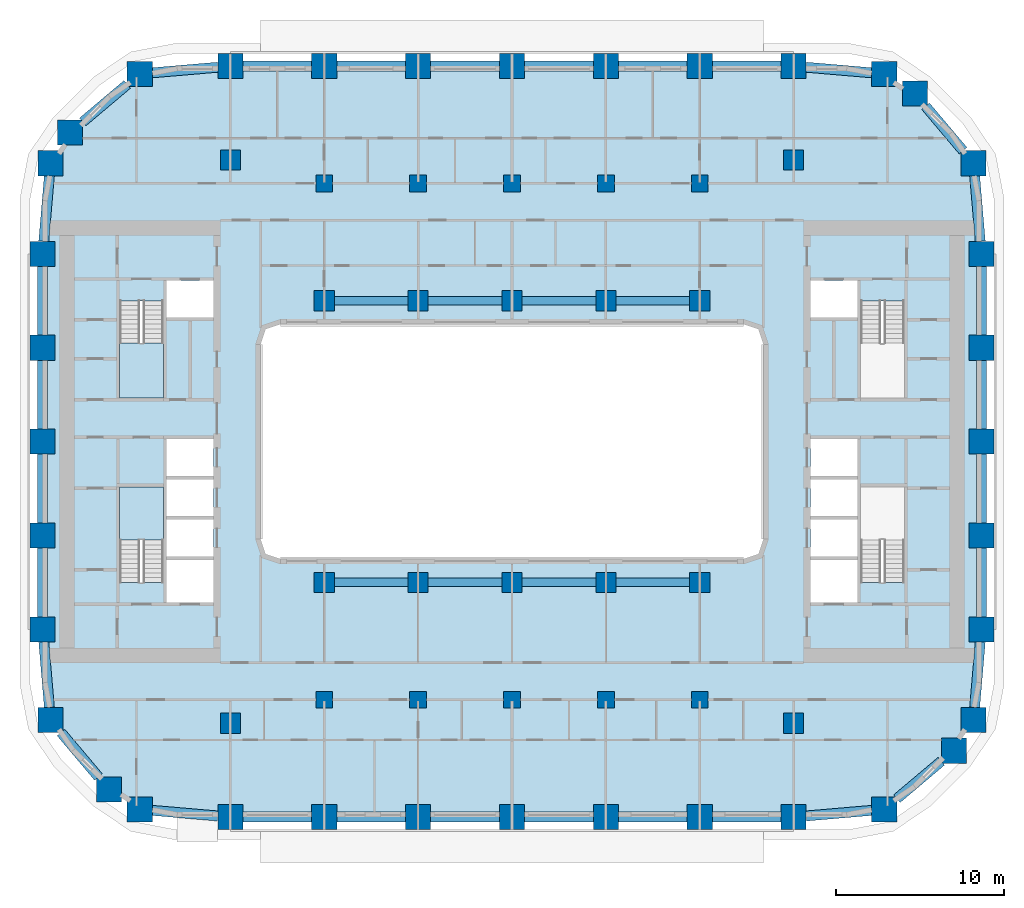
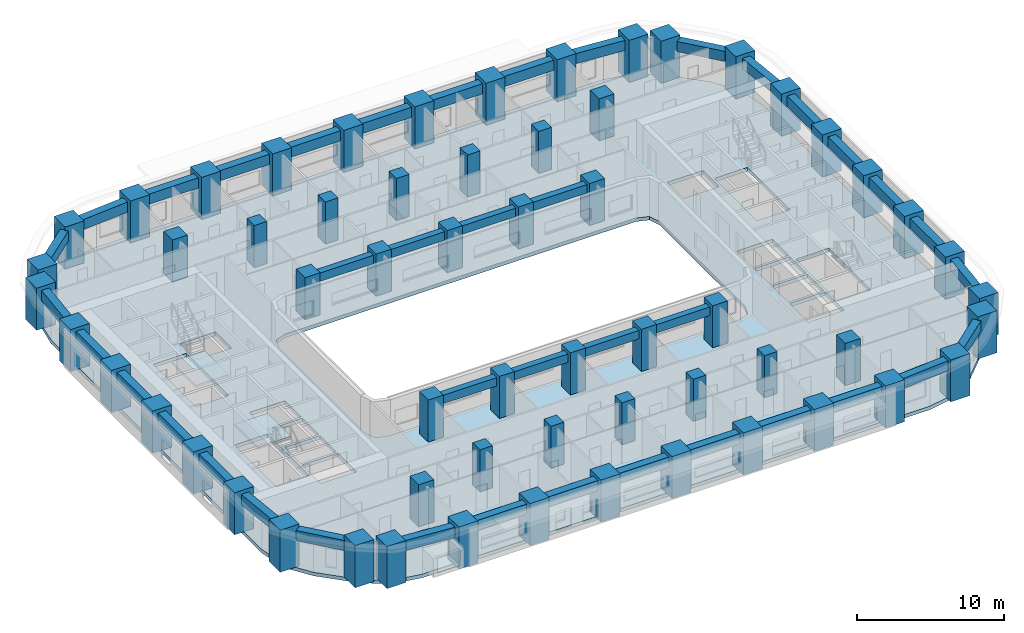
# One storey, part 1 of 21: 60 columns, 40 beams, 3 slabs, 2 elements without a shape of their own.
"""IFC4 building model written with IfcOpenShell, lengths in metres."""

from ifc_helpers import new_model, si_unit, direction, frame, origin, origin_2d, place, context, subcontext, project, spatial, polyline, rectangle, outline, extrude, material, layer, layer_set, material_profile, profile_set, type_object, element, aggregate, save


model = new_model("IFC4")

# Units and contexts
model_context = context("Model", 3, precision=1e-05, world=origin(), true_north=direction((0.0, 1.0)))
body_context = subcontext(model_context, "Body", "Model", "MODEL_VIEW")
ifc_project = project(units=[si_unit("LENGTHUNIT", "METRE"), si_unit("AREAUNIT", "SQUARE_METRE"), si_unit("VOLUMEUNIT", "CUBIC_METRE"), si_unit("PLANEANGLEUNIT", "RADIAN"), si_unit("MASSUNIT", "GRAM", prefix="KILO")], contexts=[model_context])

# Site, building, storey
site_placement = place(None, origin())
site = spatial("IfcSite", under=ifc_project, at=site_placement, CompositionType="ELEMENT")
building_placement = place(site_placement, origin())
building = spatial("IfcBuilding", under=site, at=building_placement, Name="Kiln Ring Residences", CompositionType="ELEMENT")
storey_placement = place(building_placement, frame((0.0, 0.0, 41.0)))
storey = spatial("IfcBuildingStorey", under=building, at=storey_placement, Name="L09", CompositionType="ELEMENT", Elevation=41.0)

# Columns
ifc_material_1 = material(Name="Concrete C80/95", Category="concrete")
ifc_material_profile_1 = material_profile(ifc_material_1, rectangle(XDim=1.0, YDim=1.0, at=origin_2d()), Name="RC1000x1000")
ifc_profile_set_1 = profile_set([ifc_material_profile_1], Name="Concrete C80/95")
column_type_1 = type_object("IfcColumnType", Name="Corridor column RC1000x1000 C80/95", PredefinedType="COLUMN", material=ifc_profile_set_1)
for number, where, z_axis, x_axis, name in (
    (1, (-11.199951171875, 15.39990234375, 0.0), (0.0, 0.0, 1.0), (1.0, 0.0, 0.0), "Corridor column L09 1"),
    (2, (-5.60009765625, 15.39990234375, 0.0), (0.0, 0.0, 1.0), (1.0, 0.0, 0.0), "Corridor column L09 2"),
    (3, (0.0, 15.39990234375, 0.0), (0.0, 0.0, 1.0), (1.0, 0.0, 0.0), "Corridor column L09 3"),
    (4, (5.60009765625, 15.39990234375, 0.0), (0.0, 0.0, 1.0), (1.0, 0.0, 0.0), "Corridor column L09 4"),
    (5, (11.199951171875, 15.39990234375, 0.0), (0.0, 0.0, 1.0), (1.0, 0.0, 0.0), "Corridor column L09 5"),
    (6, (-11.199951171875, -15.39990234375, 0.0), (0.0, 0.0, 1.0), (1.0, 0.0, 0.0), "Corridor column L09 6"),
    (7, (-5.60009765625, -15.39990234375, 0.0), (0.0, 0.0, 1.0), (1.0, 0.0, 0.0), "Corridor column L09 7"),
    (8, (0.0, -15.39990234375, 0.0), (0.0, 0.0, 1.0), (1.0, 0.0, 0.0), "Corridor column L09 8"),
    (9, (5.60009765625, -15.39990234375, 0.0), (0.0, 0.0, 1.0), (1.0, 0.0, 0.0), "Corridor column L09 9"),
    (10, (11.199951171875, -15.39990234375, 0.0), (0.0, 0.0, 1.0), (1.0, 0.0, 0.0), "Corridor column L09 10"),
):
    element("IfcColumn", number, at=place(storey_placement, frame(where, z_axis=z_axis, x_axis=x_axis)), inside=storey, type_object=column_type_1, Name=name, PredefinedType="COLUMN", context=body_context, shape_type="SweptSolid", body=[
        extrude(rectangle(XDim=1.0, YDim=1.0, at=origin_2d()), origin(), (0.0, 0.0, 1.0), 3.5),
    ])
ifc_material_2 = material(Name="Concrete C80/95", Category="concrete")
ifc_material_profile_2 = material_profile(ifc_material_2, rectangle(XDim=1.5, YDim=1.5, at=origin_2d()), Name="RC1500x1500")
ifc_profile_set_2 = profile_set([ifc_material_profile_2], Name="Concrete C80/95")
column_type_2 = type_object("IfcColumnType", Name="Perimeter column RC1500x1500 C80/95", PredefinedType="COLUMN", material=ifc_profile_set_2)
for number, where, z_axis, x_axis, name in (
    (11, (-22.208740234375, -21.93798828125, 0.0), (0.0, 0.0, 1.0), (1.0, 0.0, 0.0), "Perimeter column L09 1"),
    (12, (-16.800048828125, -22.39990234375, 0.0), (0.0, 0.0, 1.0), (1.0, 0.0, 0.0), "Perimeter column L09 2"),
    (13, (-11.199951171875, -22.39990234375, 0.0), (0.0, 0.0, 1.0), (1.0, 0.0, 0.0), "Perimeter column L09 3"),
    (14, (-5.60009765625, -22.39990234375, 0.0), (0.0, 0.0, 1.0), (1.0, 0.0, 0.0), "Perimeter column L09 4"),
    (15, (0.0, -22.39990234375, 0.0), (0.0, 0.0, 1.0), (1.0, 0.0, 0.0), "Perimeter column L09 5"),
    (16, (5.60009765625, -22.39990234375, 0.0), (0.0, 0.0, 1.0), (1.0, 0.0, 0.0), "Perimeter column L09 6"),
    (17, (11.199951171875, -22.39990234375, 0.0), (0.0, 0.0, 1.0), (1.0, 0.0, 0.0), "Perimeter column L09 7"),
    (18, (16.800048828125, -22.39990234375, 0.0), (0.0, 0.0, 1.0), (1.0, 0.0, 0.0), "Perimeter column L09 8"),
    (19, (22.208740234375, -21.93798828125, 0.0), (0.0, 0.0, 1.0), (1.0, 0.0, 0.0), "Perimeter column L09 9"),
    (20, (26.35986328125, -18.440185546875, 0.0), (0.0, 0.0, 1.0), (1.0, 0.0, 0.0), "Perimeter column L09 10"),
    (21, (27.5380859375, -16.608642578125, 0.0), (0.0, 0.0, 1.0), (1.0, 0.0, 0.0), "Perimeter column L09 11"),
    (22, (28.0, -11.199951171875, 0.0), (0.0, 0.0, 1.0), (1.0, 0.0, 0.0), "Perimeter column L09 12"),
    (23, (28.0, -5.60009765625, 0.0), (0.0, 0.0, 1.0), (1.0, 0.0, 0.0), "Perimeter column L09 13"),
    (24, (28.0, 0.0, 0.0), (0.0, 0.0, 1.0), (1.0, 0.0, 0.0), "Perimeter column L09 14"),
    (25, (28.0, 5.60009765625, 0.0), (0.0, 0.0, 1.0), (1.0, 0.0, 0.0), "Perimeter column L09 15"),
    (26, (28.0, 11.199951171875, 0.0), (0.0, 0.0, 1.0), (1.0, 0.0, 0.0), "Perimeter column L09 16"),
    (27, (27.5380859375, 16.608642578125, 0.0), (0.0, 0.0, 1.0), (1.0, 0.0, 0.0), "Perimeter column L09 17"),
    (28, (24.040283203125, 20.759765625, 0.0), (0.0, 0.0, 1.0), (1.0, 0.0, 0.0), "Perimeter column L09 18"),
    (29, (22.208740234375, 21.93798828125, 0.0), (0.0, 0.0, 1.0), (1.0, 0.0, 0.0), "Perimeter column L09 19"),
    (30, (16.800048828125, 22.39990234375, 0.0), (0.0, 0.0, 1.0), (1.0, 0.0, 0.0), "Perimeter column L09 20"),
    (31, (11.199951171875, 22.39990234375, 0.0), (0.0, 0.0, 1.0), (1.0, 0.0, 0.0), "Perimeter column L09 21"),
    (32, (5.60009765625, 22.39990234375, 0.0), (0.0, 0.0, 1.0), (1.0, 0.0, 0.0), "Perimeter column L09 22"),
    (33, (0.0, 22.39990234375, 0.0), (0.0, 0.0, 1.0), (1.0, 0.0, 0.0), "Perimeter column L09 23"),
    (34, (-5.60009765625, 22.39990234375, 0.0), (0.0, 0.0, 1.0), (1.0, 0.0, 0.0), "Perimeter column L09 24"),
    (35, (-11.199951171875, 22.39990234375, 0.0), (0.0, 0.0, 1.0), (1.0, 0.0, 0.0), "Perimeter column L09 25"),
    (36, (-16.800048828125, 22.39990234375, 0.0), (0.0, 0.0, 1.0), (1.0, 0.0, 0.0), "Perimeter column L09 26"),
    (37, (-22.208740234375, 21.93798828125, 0.0), (0.0, 0.0, 1.0), (1.0, 0.0, 0.0), "Perimeter column L09 27"),
    (38, (-26.35986328125, 18.440185546875, 0.0), (0.0, 0.0, 1.0), (1.0, 0.0, 0.0), "Perimeter column L09 28"),
    (39, (-27.5380859375, 16.608642578125, 0.0), (0.0, 0.0, 1.0), (1.0, 0.0, 0.0), "Perimeter column L09 29"),
    (40, (-28.0, 11.199951171875, 0.0), (0.0, 0.0, 1.0), (1.0, 0.0, 0.0), "Perimeter column L09 30"),
    (41, (-28.0, 5.60009765625, 0.0), (0.0, 0.0, 1.0), (1.0, 0.0, 0.0), "Perimeter column L09 31"),
    (42, (-28.0, 0.0, 0.0), (0.0, 0.0, 1.0), (1.0, 0.0, 0.0), "Perimeter column L09 32"),
    (43, (-28.0, -5.60009765625, 0.0), (0.0, 0.0, 1.0), (1.0, 0.0, 0.0), "Perimeter column L09 33"),
    (44, (-28.0, -11.199951171875, 0.0), (0.0, 0.0, 1.0), (1.0, 0.0, 0.0), "Perimeter column L09 34"),
    (45, (-27.5380859375, -16.608642578125, 0.0), (0.0, 0.0, 1.0), (1.0, 0.0, 0.0), "Perimeter column L09 35"),
    (46, (-24.040283203125, -20.759765625, 0.0), (0.0, 0.0, 1.0), (1.0, 0.0, 0.0), "Perimeter column L09 36"),
):
    element("IfcColumn", number, at=place(storey_placement, frame(where, z_axis=z_axis, x_axis=x_axis)), inside=storey, type_object=column_type_2, Name=name, PredefinedType="COLUMN", context=body_context, shape_type="SweptSolid", body=[
        extrude(rectangle(XDim=1.5, YDim=1.5, at=origin_2d()), origin(), (0.0, 0.0, 1.0), 3.5),
    ])
ifc_material_3 = material(Name="Concrete C80/95", Category="concrete")
ifc_material_profile_3 = material_profile(ifc_material_3, rectangle(XDim=1.199951171875, YDim=1.199951171875, at=origin_2d()), Name="RC1200x1200")
ifc_profile_set_3 = profile_set([ifc_material_profile_3], Name="Concrete C80/95")
column_type_3 = type_object("IfcColumnType", Name="Ring column RC1200x1200 C80/95", PredefinedType="COLUMN", material=ifc_profile_set_3)
for number, where, z_axis, x_axis, name in (
    (47, (-16.800048828125, -16.800048828125, 0.0), (0.0, 0.0, 1.0), (1.0, 0.0, 0.0), "Ring column L09 1"),
    (48, (-16.800048828125, 16.800048828125, 0.0), (0.0, 0.0, 1.0), (1.0, 0.0, 0.0), "Ring column L09 2"),
    (49, (-11.199951171875, -8.39990234375, 0.0), (0.0, 0.0, 1.0), (1.0, 0.0, 0.0), "Ring column L09 3"),
    (50, (-11.199951171875, 8.39990234375, 0.0), (0.0, 0.0, 1.0), (1.0, 0.0, 0.0), "Ring column L09 4"),
    (51, (-5.60009765625, -8.39990234375, 0.0), (0.0, 0.0, 1.0), (1.0, 0.0, 0.0), "Ring column L09 5"),
    (52, (-5.60009765625, 8.39990234375, 0.0), (0.0, 0.0, 1.0), (1.0, 0.0, 0.0), "Ring column L09 6"),
    (53, (0.0, -8.39990234375, 0.0), (0.0, 0.0, 1.0), (1.0, 0.0, 0.0), "Ring column L09 7"),
    (54, (0.0, 8.39990234375, 0.0), (0.0, 0.0, 1.0), (1.0, 0.0, 0.0), "Ring column L09 8"),
    (55, (5.60009765625, -8.39990234375, 0.0), (0.0, 0.0, 1.0), (1.0, 0.0, 0.0), "Ring column L09 9"),
    (56, (5.60009765625, 8.39990234375, 0.0), (0.0, 0.0, 1.0), (1.0, 0.0, 0.0), "Ring column L09 10"),
    (57, (11.199951171875, -8.39990234375, 0.0), (0.0, 0.0, 1.0), (1.0, 0.0, 0.0), "Ring column L09 11"),
    (58, (11.199951171875, 8.39990234375, 0.0), (0.0, 0.0, 1.0), (1.0, 0.0, 0.0), "Ring column L09 12"),
    (59, (16.800048828125, -16.800048828125, 0.0), (0.0, 0.0, 1.0), (1.0, 0.0, 0.0), "Ring column L09 13"),
    (60, (16.800048828125, 16.800048828125, 0.0), (0.0, 0.0, 1.0), (1.0, 0.0, 0.0), "Ring column L09 14"),
):
    element("IfcColumn", number, at=place(storey_placement, frame(where, z_axis=z_axis, x_axis=x_axis)), inside=storey, type_object=column_type_3, Name=name, PredefinedType="COLUMN", context=body_context, shape_type="SweptSolid", body=[
        extrude(rectangle(XDim=1.199951171875, YDim=1.199951171875, at=origin_2d()), origin(), (0.0, 0.0, 1.0), 3.5),
    ])

# Beams
ifc_material_4 = material(Name="Concrete C50/60", Category="concrete")
ifc_material_profile_4 = material_profile(ifc_material_4, rectangle(XDim=0.5, YDim=0.699951171875, at=origin_2d()), Name="RC500x700")
ifc_profile_set_4 = profile_set([ifc_material_profile_4], Name="Concrete C50/60")
beam_type_1 = type_object("IfcBeamType", Name="Ring beam RC500x700 C50/60", PredefinedType="BEAM", material=ifc_profile_set_4)
beam_1_placement = place(storey_placement, frame((-10.60009765625, -8.39990234375, 2.85009765625), z_axis=(1.0, 0.0, 0.0), x_axis=(0.0, 1.0, 0.0)))
element("IfcBeam", 61, at=beam_1_placement, inside=storey, type_object=beam_type_1, Name="Ring beam L09 1", PredefinedType="BEAM", context=body_context, shape_type="SweptSolid", body=[
    extrude(rectangle(XDim=0.5, YDim=0.699951171875, at=origin_2d()), origin(), (0.0, 0.0, 1.0), 4.400146484375),
])
for number, where, z_axis, x_axis, name in (
    (62, (-5.0, -8.39990234375, 2.85009765625), (1.0, 0.0, 0.0), (0.0, 1.0, 0.0), "Ring beam L09 2"),
    (63, (0.60009765625, -8.39990234375, 2.85009765625), (1.0, 0.0, 0.0), (0.0, 1.0, 0.0), "Ring beam L09 3"),
):
    element("IfcBeam", number, at=place(storey_placement, frame(where, z_axis=z_axis, x_axis=x_axis)), inside=storey, type_object=beam_type_1, Name=name, PredefinedType="BEAM", context=body_context, shape_type="SweptSolid", body=[
        extrude(rectangle(XDim=0.5, YDim=0.699951171875, at=origin_2d()), origin(), (0.0, 0.0, 1.0), 4.39990234375),
    ])
for number, where, z_axis, x_axis, name in (
    (64, (6.199951171875, -8.39990234375, 2.85009765625), (1.0, 0.0, 0.0), (0.0, 1.0, 0.0), "Ring beam L09 4"),
    (65, (-10.60009765625, 8.39990234375, 2.85009765625), (1.0, 0.0, 0.0), (0.0, 1.0, 0.0), "Ring beam L09 5"),
):
    element("IfcBeam", number, at=place(storey_placement, frame(where, z_axis=z_axis, x_axis=x_axis)), inside=storey, type_object=beam_type_1, Name=name, PredefinedType="BEAM", context=body_context, shape_type="SweptSolid", body=[
        extrude(rectangle(XDim=0.5, YDim=0.699951171875, at=origin_2d()), origin(), (0.0, 0.0, 1.0), 4.400146484375),
    ])
for number, where, z_axis, x_axis, name in (
    (66, (-5.0, 8.39990234375, 2.85009765625), (1.0, 0.0, 0.0), (0.0, 1.0, 0.0), "Ring beam L09 6"),
    (67, (0.60009765625, 8.39990234375, 2.85009765625), (1.0, 0.0, 0.0), (0.0, 1.0, 0.0), "Ring beam L09 7"),
):
    element("IfcBeam", number, at=place(storey_placement, frame(where, z_axis=z_axis, x_axis=x_axis)), inside=storey, type_object=beam_type_1, Name=name, PredefinedType="BEAM", context=body_context, shape_type="SweptSolid", body=[
        extrude(rectangle(XDim=0.5, YDim=0.699951171875, at=origin_2d()), origin(), (0.0, 0.0, 1.0), 4.39990234375),
    ])
beam_2_placement = place(storey_placement, frame((6.199951171875, 8.39990234375, 2.85009765625), z_axis=(1.0, 0.0, 0.0), x_axis=(0.0, 1.0, 0.0)))
element("IfcBeam", 68, at=beam_2_placement, inside=storey, type_object=beam_type_1, Name="Ring beam L09 8", PredefinedType="BEAM", context=body_context, shape_type="SweptSolid", body=[
    extrude(rectangle(XDim=0.5, YDim=0.699951171875, at=origin_2d()), origin(), (0.0, 0.0, 1.0), 4.400146484375),
])
ifc_material_5 = material(Name="Concrete C50/60", Category="concrete")
ifc_material_profile_5 = material_profile(ifc_material_5, rectangle(XDim=0.60009765625, YDim=0.85009765625, at=origin_2d()), Name="RC600x850")
ifc_profile_set_5 = profile_set([ifc_material_profile_5], Name="Concrete C50/60")
beam_type_2 = type_object("IfcBeamType", Name="Spandrel beam RC600x850 C50/60", PredefinedType="SPANDREL", material=ifc_profile_set_5)
beam_3_placement = place(storey_placement, frame((-21.458740234375, -22.002197265625, 2.77490234375), z_axis=(0.996374585929, -0.085074582072, 0.0), x_axis=(0.085074582072, 0.996374585929, 0.0)))
element("IfcBeam", 69, at=beam_3_placement, inside=storey, type_object=beam_type_2, Name="Spandrel beam L09 1", PredefinedType="SPANDREL", context=body_context, shape_type="SweptSolid", body=[
    extrude(rectangle(XDim=0.60009765625, YDim=0.85009765625, at=origin_2d()), origin(), (0.0, 0.0, 1.0), 3.9228515625),
])
beam_4_placement = place(storey_placement, frame((-16.050048828125, -22.39990234375, 2.77490234375), z_axis=(1.0, 0.0, 0.0), x_axis=(0.0, 1.0, 0.0)))
element("IfcBeam", 70, at=beam_4_placement, inside=storey, type_object=beam_type_2, Name="Spandrel beam L09 2", PredefinedType="SPANDREL", context=body_context, shape_type="SweptSolid", body=[
    extrude(rectangle(XDim=0.60009765625, YDim=0.85009765625, at=origin_2d()), origin(), (0.0, 0.0, 1.0), 4.10009765625),
])
beam_5_placement = place(storey_placement, frame((-10.449951171875, -22.39990234375, 2.77490234375), z_axis=(1.0, 0.0, 0.0), x_axis=(0.0, 1.0, 0.0)))
element("IfcBeam", 71, at=beam_5_placement, inside=storey, type_object=beam_type_2, Name="Spandrel beam L09 3", PredefinedType="SPANDREL", context=body_context, shape_type="SweptSolid", body=[
    extrude(rectangle(XDim=0.60009765625, YDim=0.85009765625, at=origin_2d()), origin(), (0.0, 0.0, 1.0), 4.099853515625),
])
for number, where, z_axis, x_axis, name in (
    (72, (-4.85009765625, -22.39990234375, 2.77490234375), (1.0, 0.0, 0.0), (0.0, 1.0, 0.0), "Spandrel beam L09 4"),
    (73, (0.75, -22.39990234375, 2.77490234375), (1.0, 0.0, 0.0), (0.0, 1.0, 0.0), "Spandrel beam L09 5"),
):
    element("IfcBeam", number, at=place(storey_placement, frame(where, z_axis=z_axis, x_axis=x_axis)), inside=storey, type_object=beam_type_2, Name=name, PredefinedType="SPANDREL", context=body_context, shape_type="SweptSolid", body=[
        extrude(rectangle(XDim=0.60009765625, YDim=0.85009765625, at=origin_2d()), origin(), (0.0, 0.0, 1.0), 4.10009765625),
    ])
beam_6_placement = place(storey_placement, frame((6.35009765625, -22.39990234375, 2.77490234375), z_axis=(1.0, 0.0, 0.0), x_axis=(0.0, 1.0, 0.0)))
element("IfcBeam", 74, at=beam_6_placement, inside=storey, type_object=beam_type_2, Name="Spandrel beam L09 6", PredefinedType="SPANDREL", context=body_context, shape_type="SweptSolid", body=[
    extrude(rectangle(XDim=0.60009765625, YDim=0.85009765625, at=origin_2d()), origin(), (0.0, 0.0, 1.0), 4.099853515625),
])
beam_7_placement = place(storey_placement, frame((11.949951171875, -22.39990234375, 2.77490234375), z_axis=(1.0, 0.0, 0.0), x_axis=(0.0, 1.0, 0.0)))
element("IfcBeam", 75, at=beam_7_placement, inside=storey, type_object=beam_type_2, Name="Spandrel beam L09 7", PredefinedType="SPANDREL", context=body_context, shape_type="SweptSolid", body=[
    extrude(rectangle(XDim=0.60009765625, YDim=0.85009765625, at=origin_2d()), origin(), (0.0, 0.0, 1.0), 4.10009765625),
])
beam_8_placement = place(storey_placement, frame((17.550048828125, -22.3359375, 2.77490234375), z_axis=(0.996374585929, 0.085074582072, 0.0), x_axis=(-0.085074582072, 0.996374585929, 0.0)))
element("IfcBeam", 76, at=beam_8_placement, inside=storey, type_object=beam_type_2, Name="Spandrel beam L09 8", PredefinedType="SPANDREL", context=body_context, shape_type="SweptSolid", body=[
    extrude(rectangle(XDim=0.60009765625, YDim=0.85009765625, at=origin_2d()), origin(), (0.0, 0.0, 1.0), 3.9228515625),
])
beam_9_placement = place(storey_placement, frame((22.958740234375, -21.30615234375, 2.77490234375), z_axis=(0.76471758739, 0.644365588417, 0.0), x_axis=(-0.644365588417, 0.76471758739, 0.0)))
element("IfcBeam", 77, at=beam_9_placement, inside=storey, type_object=beam_type_2, Name="Spandrel beam L09 9", PredefinedType="SPANDREL", context=body_context, shape_type="SweptSolid", body=[
    extrude(rectangle(XDim=0.60009765625, YDim=0.85009765625, at=origin_2d()), origin(), (0.0, 0.0, 1.0), 3.466796875),
])
beam_10_placement = place(storey_placement, frame((27.60205078125, -15.858642578125, 2.77490234375), z_axis=(0.085136365662, 0.996369308661, 0.0), x_axis=(-0.996369308661, 0.085136365662, 0.0)))
element("IfcBeam", 78, at=beam_10_placement, inside=storey, type_object=beam_type_2, Name="Spandrel beam L09 10", PredefinedType="SPANDREL", context=body_context, shape_type="SweptSolid", body=[
    extrude(rectangle(XDim=0.60009765625, YDim=0.85009765625, at=origin_2d()), origin(), (0.0, 0.0, 1.0), 3.9228515625),
])
beam_11_placement = place(storey_placement, frame((28.0, -10.449951171875, 2.77490234375), z_axis=(0.0, 1.0, 0.0), x_axis=(-1.0, 0.0, 0.0)))
element("IfcBeam", 79, at=beam_11_placement, inside=storey, type_object=beam_type_2, Name="Spandrel beam L09 11", PredefinedType="SPANDREL", context=body_context, shape_type="SweptSolid", body=[
    extrude(rectangle(XDim=0.60009765625, YDim=0.85009765625, at=origin_2d()), origin(), (0.0, 0.0, 1.0), 4.099853515625),
])
for number, where, z_axis, x_axis, name in (
    (80, (28.0, -4.85009765625, 2.77490234375), (0.0, 1.0, 0.0), (-1.0, 0.0, 0.0), "Spandrel beam L09 12"),
    (81, (28.0, 0.75, 2.77490234375), (0.0, 1.0, 0.0), (-1.0, 0.0, 0.0), "Spandrel beam L09 13"),
):
    element("IfcBeam", number, at=place(storey_placement, frame(where, z_axis=z_axis, x_axis=x_axis)), inside=storey, type_object=beam_type_2, Name=name, PredefinedType="SPANDREL", context=body_context, shape_type="SweptSolid", body=[
        extrude(rectangle(XDim=0.60009765625, YDim=0.85009765625, at=origin_2d()), origin(), (0.0, 0.0, 1.0), 4.10009765625),
    ])
beam_12_placement = place(storey_placement, frame((28.0, 6.35009765625, 2.77490234375), z_axis=(0.0, 1.0, 0.0), x_axis=(-1.0, 0.0, 0.0)))
element("IfcBeam", 82, at=beam_12_placement, inside=storey, type_object=beam_type_2, Name="Spandrel beam L09 14", PredefinedType="SPANDREL", context=body_context, shape_type="SweptSolid", body=[
    extrude(rectangle(XDim=0.60009765625, YDim=0.85009765625, at=origin_2d()), origin(), (0.0, 0.0, 1.0), 4.099853515625),
])
beam_13_placement = place(storey_placement, frame((27.93603515625, 11.949951171875, 2.77490234375), z_axis=(-0.085136365662, 0.996369308661, 0.0), x_axis=(-0.996369308661, -0.085136365662, 0.0)))
element("IfcBeam", 83, at=beam_13_placement, inside=storey, type_object=beam_type_2, Name="Spandrel beam L09 15", PredefinedType="SPANDREL", context=body_context, shape_type="SweptSolid", body=[
    extrude(rectangle(XDim=0.60009765625, YDim=0.85009765625, at=origin_2d()), origin(), (0.0, 0.0, 1.0), 3.9228515625),
])
beam_14_placement = place(storey_placement, frame((26.906005859375, 17.358642578125, 2.77490234375), z_axis=(-0.644365588417, 0.76471758739, 0.0), x_axis=(-0.76471758739, -0.644365588417, 0.0)))
element("IfcBeam", 84, at=beam_14_placement, inside=storey, type_object=beam_type_2, Name="Spandrel beam L09 16", PredefinedType="SPANDREL", context=body_context, shape_type="SweptSolid", body=[
    extrude(rectangle(XDim=0.60009765625, YDim=0.85009765625, at=origin_2d()), origin(), (0.0, 0.0, 1.0), 3.466796875),
])
beam_15_placement = place(storey_placement, frame((21.458740234375, 22.002197265625, 2.77490234375), z_axis=(-0.996374585929, 0.085074582072, 0.0), x_axis=(-0.085074582072, -0.996374585929, 0.0)))
element("IfcBeam", 85, at=beam_15_placement, inside=storey, type_object=beam_type_2, Name="Spandrel beam L09 17", PredefinedType="SPANDREL", context=body_context, shape_type="SweptSolid", body=[
    extrude(rectangle(XDim=0.60009765625, YDim=0.85009765625, at=origin_2d()), origin(), (0.0, 0.0, 1.0), 3.9228515625),
])
beam_16_placement = place(storey_placement, frame((16.050048828125, 22.39990234375, 2.77490234375), z_axis=(-1.0, 0.0, 0.0), x_axis=(0.0, -1.0, 0.0)))
element("IfcBeam", 86, at=beam_16_placement, inside=storey, type_object=beam_type_2, Name="Spandrel beam L09 18", PredefinedType="SPANDREL", context=body_context, shape_type="SweptSolid", body=[
    extrude(rectangle(XDim=0.60009765625, YDim=0.85009765625, at=origin_2d()), origin(), (0.0, 0.0, 1.0), 4.10009765625),
])
beam_17_placement = place(storey_placement, frame((10.449951171875, 22.39990234375, 2.77490234375), z_axis=(-1.0, 0.0, 0.0), x_axis=(0.0, -1.0, 0.0)))
element("IfcBeam", 87, at=beam_17_placement, inside=storey, type_object=beam_type_2, Name="Spandrel beam L09 19", PredefinedType="SPANDREL", context=body_context, shape_type="SweptSolid", body=[
    extrude(rectangle(XDim=0.60009765625, YDim=0.85009765625, at=origin_2d()), origin(), (0.0, 0.0, 1.0), 4.099853515625),
])
for number, where, z_axis, x_axis, name in (
    (88, (4.85009765625, 22.39990234375, 2.77490234375), (-1.0, 0.0, 0.0), (0.0, -1.0, 0.0), "Spandrel beam L09 20"),
    (89, (-0.75, 22.39990234375, 2.77490234375), (-1.0, 0.0, 0.0), (0.0, -1.0, 0.0), "Spandrel beam L09 21"),
):
    element("IfcBeam", number, at=place(storey_placement, frame(where, z_axis=z_axis, x_axis=x_axis)), inside=storey, type_object=beam_type_2, Name=name, PredefinedType="SPANDREL", context=body_context, shape_type="SweptSolid", body=[
        extrude(rectangle(XDim=0.60009765625, YDim=0.85009765625, at=origin_2d()), origin(), (0.0, 0.0, 1.0), 4.10009765625),
    ])
beam_18_placement = place(storey_placement, frame((-6.35009765625, 22.39990234375, 2.77490234375), z_axis=(-1.0, 0.0, 0.0), x_axis=(0.0, -1.0, 0.0)))
element("IfcBeam", 90, at=beam_18_placement, inside=storey, type_object=beam_type_2, Name="Spandrel beam L09 22", PredefinedType="SPANDREL", context=body_context, shape_type="SweptSolid", body=[
    extrude(rectangle(XDim=0.60009765625, YDim=0.85009765625, at=origin_2d()), origin(), (0.0, 0.0, 1.0), 4.099853515625),
])
beam_19_placement = place(storey_placement, frame((-11.949951171875, 22.39990234375, 2.77490234375), z_axis=(-1.0, 0.0, 0.0), x_axis=(0.0, -1.0, 0.0)))
element("IfcBeam", 91, at=beam_19_placement, inside=storey, type_object=beam_type_2, Name="Spandrel beam L09 23", PredefinedType="SPANDREL", context=body_context, shape_type="SweptSolid", body=[
    extrude(rectangle(XDim=0.60009765625, YDim=0.85009765625, at=origin_2d()), origin(), (0.0, 0.0, 1.0), 4.10009765625),
])
beam_20_placement = place(storey_placement, frame((-17.550048828125, 22.3359375, 2.77490234375), z_axis=(-0.996374585929, -0.085074582072, 0.0), x_axis=(0.085074582072, -0.996374585929, 0.0)))
element("IfcBeam", 92, at=beam_20_placement, inside=storey, type_object=beam_type_2, Name="Spandrel beam L09 24", PredefinedType="SPANDREL", context=body_context, shape_type="SweptSolid", body=[
    extrude(rectangle(XDim=0.60009765625, YDim=0.85009765625, at=origin_2d()), origin(), (0.0, 0.0, 1.0), 3.9228515625),
])
beam_21_placement = place(storey_placement, frame((-22.958740234375, 21.30615234375, 2.77490234375), z_axis=(-0.76471758739, -0.644365588417, 0.0), x_axis=(0.644365588417, -0.76471758739, 0.0)))
element("IfcBeam", 93, at=beam_21_placement, inside=storey, type_object=beam_type_2, Name="Spandrel beam L09 25", PredefinedType="SPANDREL", context=body_context, shape_type="SweptSolid", body=[
    extrude(rectangle(XDim=0.60009765625, YDim=0.85009765625, at=origin_2d()), origin(), (0.0, 0.0, 1.0), 3.466796875),
])
beam_22_placement = place(storey_placement, frame((-27.60205078125, 15.858642578125, 2.77490234375), z_axis=(-0.085136365662, -0.996369308661, 0.0), x_axis=(0.996369308661, -0.085136365662, 0.0)))
element("IfcBeam", 94, at=beam_22_placement, inside=storey, type_object=beam_type_2, Name="Spandrel beam L09 26", PredefinedType="SPANDREL", context=body_context, shape_type="SweptSolid", body=[
    extrude(rectangle(XDim=0.60009765625, YDim=0.85009765625, at=origin_2d()), origin(), (0.0, 0.0, 1.0), 3.9228515625),
])
beam_23_placement = place(storey_placement, frame((-28.0, 10.449951171875, 2.77490234375), z_axis=(0.0, -1.0, 0.0), x_axis=(1.0, 0.0, 0.0)))
element("IfcBeam", 95, at=beam_23_placement, inside=storey, type_object=beam_type_2, Name="Spandrel beam L09 27", PredefinedType="SPANDREL", context=body_context, shape_type="SweptSolid", body=[
    extrude(rectangle(XDim=0.60009765625, YDim=0.85009765625, at=origin_2d()), origin(), (0.0, 0.0, 1.0), 4.099853515625),
])
for number, where, z_axis, x_axis, name in (
    (96, (-28.0, 4.85009765625, 2.77490234375), (0.0, -1.0, 0.0), (1.0, 0.0, 0.0), "Spandrel beam L09 28"),
    (97, (-28.0, -0.75, 2.77490234375), (0.0, -1.0, 0.0), (1.0, 0.0, 0.0), "Spandrel beam L09 29"),
):
    element("IfcBeam", number, at=place(storey_placement, frame(where, z_axis=z_axis, x_axis=x_axis)), inside=storey, type_object=beam_type_2, Name=name, PredefinedType="SPANDREL", context=body_context, shape_type="SweptSolid", body=[
        extrude(rectangle(XDim=0.60009765625, YDim=0.85009765625, at=origin_2d()), origin(), (0.0, 0.0, 1.0), 4.10009765625),
    ])
beam_24_placement = place(storey_placement, frame((-28.0, -6.35009765625, 2.77490234375), z_axis=(0.0, -1.0, 0.0), x_axis=(1.0, 0.0, 0.0)))
element("IfcBeam", 98, at=beam_24_placement, inside=storey, type_object=beam_type_2, Name="Spandrel beam L09 30", PredefinedType="SPANDREL", context=body_context, shape_type="SweptSolid", body=[
    extrude(rectangle(XDim=0.60009765625, YDim=0.85009765625, at=origin_2d()), origin(), (0.0, 0.0, 1.0), 4.099853515625),
])
beam_25_placement = place(storey_placement, frame((-27.93603515625, -11.949951171875, 2.77490234375), z_axis=(0.085136365662, -0.996369308661, 0.0), x_axis=(0.996369308661, 0.085136365662, 0.0)))
element("IfcBeam", 99, at=beam_25_placement, inside=storey, type_object=beam_type_2, Name="Spandrel beam L09 31", PredefinedType="SPANDREL", context=body_context, shape_type="SweptSolid", body=[
    extrude(rectangle(XDim=0.60009765625, YDim=0.85009765625, at=origin_2d()), origin(), (0.0, 0.0, 1.0), 3.9228515625),
])
beam_26_placement = place(storey_placement, frame((-26.906005859375, -17.358642578125, 2.77490234375), z_axis=(0.644365588417, -0.76471758739, 0.0), x_axis=(0.76471758739, 0.644365588417, 0.0)))
element("IfcBeam", 100, at=beam_26_placement, inside=storey, type_object=beam_type_2, Name="Spandrel beam L09 32", PredefinedType="SPANDREL", context=body_context, shape_type="SweptSolid", body=[
    extrude(rectangle(XDim=0.60009765625, YDim=0.85009765625, at=origin_2d()), origin(), (0.0, 0.0, 1.0), 3.466796875),
])

# Stair, slab
ifc_material_6 = material(Name="Concrete C40/50", Category="concrete")
stair_type = type_object("IfcStairType", Name="CORE-STAIR", PredefinedType="HALF_TURN_STAIR", material=ifc_material_6)
placement_1 = place(storey_placement, origin())
stair_1 = element("IfcStair", 101, at=placement_1, inside=storey, type_object=stair_type, Name="L09 stair W-STN", PredefinedType="HALF_TURN_STAIR")
ifc_material_7 = material(Name="Concrete C40/50", Category="concrete")
ifc_layer_1 = layer(ifc_material_7, 0.199951171875)
ifc_layer_set_1 = layer_set([ifc_layer_1], Name="CORE-STAIR-LANDING")
slab_type_1 = type_object("IfcSlabType", Name="CORE-STAIR-LANDING", PredefinedType="LANDING", material=ifc_layer_set_1)
placement_2 = place(storey_placement, frame((0.0, 0.0, 1.550048828125)))
slab_1 = element("IfcSlab", 102, at=placement_2, type_object=slab_type_1, Name="W-STN landing 1", PredefinedType="LANDING", context=body_context, shape_type="SweptSolid", body=[
    extrude(outline(polyline([(-23.39990234375, 5.8798828125), (-23.39990234375, 2.60009765625), (-20.800048828125, 2.60009765625), (-20.800048828125, 5.8798828125), (-23.39990234375, 5.8798828125)])), origin(), (0.0, 0.0, 1.0), 0.199951171875),
])
aggregate(stair_1, [slab_1])

stair_2 = element("IfcStair", 103, at=placement_1, inside=storey, type_object=stair_type, Name="L09 stair W-STS", PredefinedType="HALF_TURN_STAIR")
slab_2 = element("IfcSlab", 104, at=placement_2, type_object=slab_type_1, Name="W-STS landing 1", PredefinedType="LANDING", context=body_context, shape_type="SweptSolid", body=[
    extrude(outline(polyline([(-20.800048828125, -5.8798828125), (-20.800048828125, -2.699951171875), (-23.39990234375, -2.699951171875), (-23.39990234375, -5.8798828125), (-20.800048828125, -5.8798828125)])), origin(), (0.0, 0.0, 1.0), 0.199951171875),
])
aggregate(stair_2, [slab_2])

# Slab
ifc_material_8 = material(Name="Concrete C40/50", Category="concrete")
ifc_layer_2 = layer(ifc_material_8, 0.300048828125)
ifc_layer_set_2 = layer_set([ifc_layer_2], Name="Floor slab 300")
slab_type_2 = type_object("IfcSlabType", Name="Floor slab 300", PredefinedType="FLOOR", material=ifc_layer_set_2)
slab_3_placement = place(storey_placement, frame((0.0, 0.0, -0.300048828125)))
element("IfcSlab", 105, at=slab_3_placement, inside=storey, type_object=slab_type_2, Name="Floor slab L09 1", PredefinedType="FLOOR", context=body_context, shape_type="SweptSolid", body=[
    extrude(outline(polyline([(-26.302978515625, -18.4970703125), (-24.09716796875, -20.702880859375), (-22.224365234375, -21.975830078125), (-20.0, -22.39990234375), (20.0, -22.39990234375), (22.224365234375, -21.975830078125), (24.09716796875, -20.702880859375), (26.302978515625, -18.4970703125), (27.57568359375, -16.624267578125), (28.0, -14.39990234375), (28.0, 14.39990234375), (27.57568359375, 16.624267578125), (26.302978515625, 18.4970703125), (24.09716796875, 20.702880859375), (22.224365234375, 21.975830078125), (20.0, 22.39990234375), (-20.0, 22.39990234375), (-22.224365234375, 21.975830078125), (-24.09716796875, 20.702880859375), (-26.302978515625, 18.4970703125), (-27.57568359375, 16.624267578125), (-28.0, 14.39990234375), (-28.0, -14.39990234375), (-27.57568359375, -16.624267578125), (-26.302978515625, -18.4970703125)]), holes=[polyline([(-14.699951171875, -6.699951171875), (-15.0, -5.800048828125), (-15.0, 5.800048828125), (-14.699951171875, 6.699951171875), (-13.800048828125, 7.0), (13.800048828125, 7.0), (14.699951171875, 6.699951171875), (15.0, 5.800048828125), (15.0, -5.800048828125), (14.699951171875, -6.699951171875), (13.800048828125, -7.0), (-13.800048828125, -7.0), (-14.699951171875, -6.699951171875)]), polyline([(20.800048828125, -8.39794921875), (20.800048828125, -2.699951171875), (23.39990234375, -2.699951171875), (23.39990234375, -8.39794921875), (20.800048828125, -8.39794921875)]), polyline([(20.800048828125, 2.60009765625), (20.800048828125, 8.39794921875), (23.39990234375, 8.39794921875), (23.39990234375, 2.60009765625), (20.800048828125, 2.60009765625)]), polyline([(17.800048828125, -6.85009765625), (17.800048828125, -4.64990234375), (20.60009765625, -4.64990234375), (20.60009765625, -6.85009765625), (17.800048828125, -6.85009765625)]), polyline([(17.800048828125, -4.449951171875), (17.800048828125, -2.25), (20.60009765625, -2.25), (20.60009765625, -4.449951171875), (17.800048828125, -4.449951171875)]), polyline([(17.800048828125, -2.050048828125), (17.800048828125, 0.14990234375), (20.60009765625, 0.14990234375), (20.60009765625, -2.050048828125), (17.800048828125, -2.050048828125)]), polyline([(17.800048828125, 7.39990234375), (17.800048828125, 9.60009765625), (20.60009765625, 9.60009765625), (20.60009765625, 7.39990234375), (17.800048828125, 7.39990234375)]), polyline([(20.60009765625, -9.60009765625), (17.800048828125, -9.60009765625), (17.800048828125, -7.050048828125), (20.60009765625, -7.050048828125), (20.60009765625, -9.60009765625)]), polyline([(-17.800048828125, -7.050048828125), (-17.800048828125, -9.60009765625), (-20.60009765625, -9.60009765625), (-20.60009765625, -7.050048828125), (-17.800048828125, -7.050048828125)]), polyline([(-17.800048828125, -6.85009765625), (-20.60009765625, -6.85009765625), (-20.60009765625, -4.64990234375), (-17.800048828125, -4.64990234375), (-17.800048828125, -6.85009765625)]), polyline([(-17.800048828125, -4.449951171875), (-20.60009765625, -4.449951171875), (-20.60009765625, -2.25), (-17.800048828125, -2.25), (-17.800048828125, -4.449951171875)]), polyline([(-17.800048828125, -2.050048828125), (-20.60009765625, -2.050048828125), (-20.60009765625, 0.14990234375), (-17.800048828125, 0.14990234375), (-17.800048828125, -2.050048828125)]), polyline([(-17.800048828125, 7.39990234375), (-20.60009765625, 7.39990234375), (-20.60009765625, 9.60009765625), (-17.800048828125, 9.60009765625), (-17.800048828125, 7.39990234375)]), polyline([(-20.800048828125, -8.39794921875), (-23.39990234375, -8.39794921875), (-23.39990234375, -2.699951171875), (-20.800048828125, -2.699951171875), (-20.800048828125, -8.39794921875)]), polyline([(-20.800048828125, 2.60009765625), (-23.39990234375, 2.60009765625), (-23.39990234375, 8.39794921875), (-20.800048828125, 8.39794921875), (-20.800048828125, 2.60009765625)])]), origin(), (0.0, 0.0, 1.0), 0.300048828125),
])

save(model, "model.ifc")
